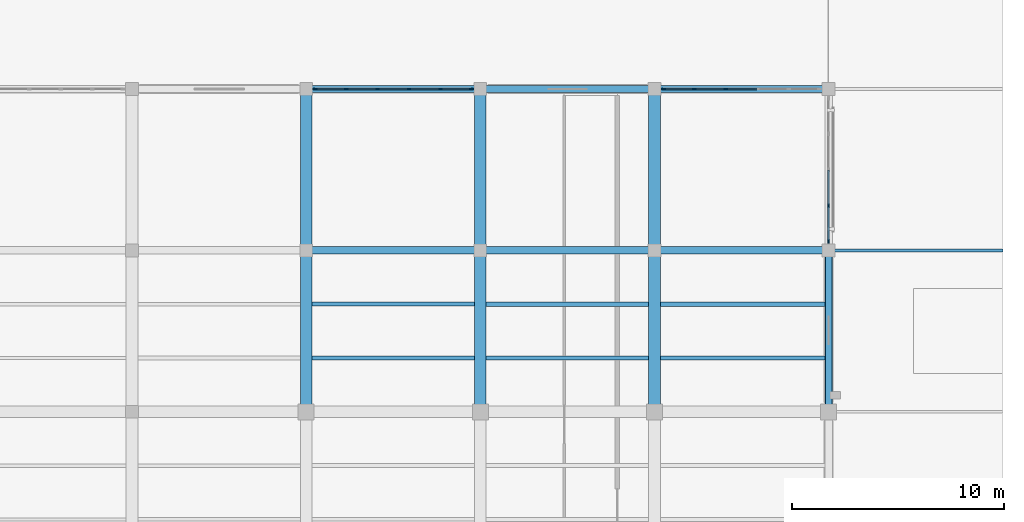
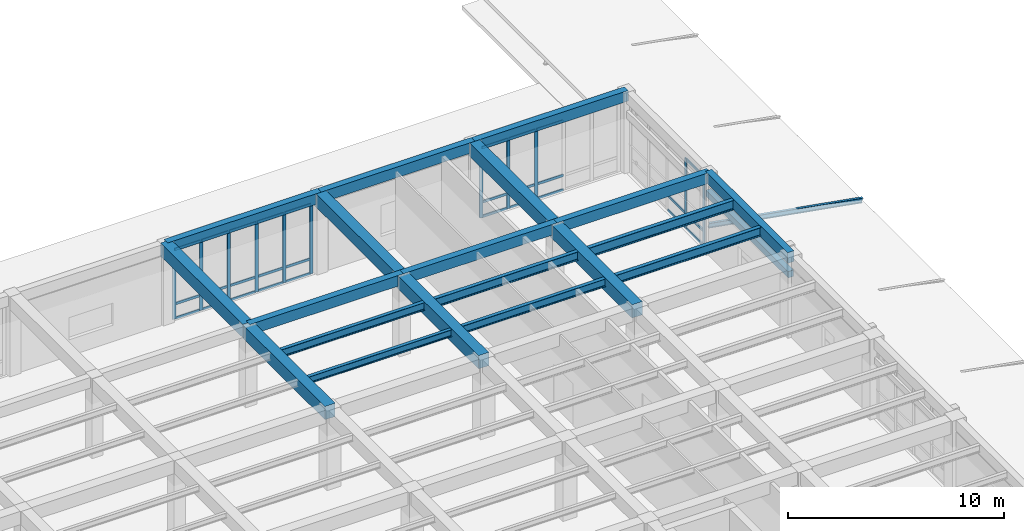
# One storey, part 26 of 57: 41 members, 20 beams, 3 elements without a shape of their own.
"""IFC4 building model written with IfcOpenShell, lengths in metres."""

from ifc_helpers import new_model, si_unit, direction, frame, origin, origin_2d, place, context, subcontext, project, spatial, rectangle, i_section, extrude, material, material_profile, profile_set, type_object, element, aggregate, save


model = new_model("IFC4")

# Units and contexts
model_context = context("Model", 3, precision=1e-05, world=origin(), true_north=direction((0.0, 1.0)))
body_context = subcontext(model_context, "Body", "Model", "MODEL_VIEW")
ifc_project = project(units=[si_unit("LENGTHUNIT", "METRE"), si_unit("AREAUNIT", "SQUARE_METRE"), si_unit("VOLUMEUNIT", "CUBIC_METRE"), si_unit("PLANEANGLEUNIT", "RADIAN"), si_unit("MASSUNIT", "GRAM", prefix="KILO")], contexts=[model_context])

# Site, building, storey
site_placement = place(None, origin())
site = spatial("IfcSite", under=ifc_project, at=site_placement, CompositionType="ELEMENT")
building_placement = place(site_placement, origin())
building = spatial("IfcBuilding", under=site, at=building_placement, Name="Qandaris Square Conservatory and Botanical Centre", CompositionType="ELEMENT")
storey_placement = place(building_placement, frame((0.0, 0.0, 5.39990234375)))
storey = spatial("IfcBuildingStorey", under=building, at=storey_placement, Name="L01", CompositionType="ELEMENT", Elevation=5.39990234375)

# Beams
ifc_material_1 = material(Name="Steel S355", Category="steel")
ifc_material_profile_1 = material_profile(ifc_material_1, i_section(OverallWidth=0.18994140625, OverallDepth=0.449951171875, WebThickness=0.009521484375, FlangeThickness=0.0146484375, FilletRadius=0.02099609375, at=origin_2d()), Name="IPE 450")
ifc_profile_set_1 = profile_set([ifc_material_profile_1], Name="Steel S355")
beam_type_1 = type_object("IfcBeamType", Name="Composite Archive Joist IPE 450", PredefinedType="JOIST", material=ifc_profile_set_1)
for number, where, z_axis, x_axis, name in (
    (1, (139.47509765625, 97.666748046875, 4.28515625), (1.0, 0.0, 0.0), (0.0, 1.0, 0.0), "L01 Composite Joist 1249"),
    (2, (147.675048828125, 95.13330078125, 4.28515625), (1.0, 0.0, 0.0), (0.0, 1.0, 0.0), "L01 Composite Joist 1265"),
):
    element("IfcBeam", number, at=place(storey_placement, frame(where, z_axis=z_axis, x_axis=x_axis)), inside=storey, type_object=beam_type_1, Name=name, PredefinedType="JOIST", context=body_context, shape_type="SweptSolid", body=[
        extrude(i_section(OverallWidth=0.18994140625, OverallDepth=0.449951171875, WebThickness=0.009521484375, FlangeThickness=0.0146484375, FilletRadius=0.02099609375, at=origin_2d()), origin(), (0.0, 0.0, 1.0), 7.64990234375),
    ])
ifc_material_profile_2 = material_profile(ifc_material_1, i_section(OverallWidth=0.199951171875, OverallDepth=0.5, WebThickness=0.01025390625, FlangeThickness=0.01611328125, FilletRadius=0.02099609375, at=origin_2d()), Name="IPE 500")
ifc_profile_set_2 = profile_set([ifc_material_profile_2], Name="Steel S355")
beam_type_2 = type_object("IfcBeamType", Name="Composite Gallery Joist IPE 500", PredefinedType="JOIST", material=ifc_profile_set_2)
beam_1_placement = place(storey_placement, frame((147.675048828125, 97.666748046875, 4.260009765625), z_axis=(1.0, 0.0, 0.0), x_axis=(0.0, 1.0, 0.0)))
element("IfcBeam", 3, at=beam_1_placement, inside=storey, type_object=beam_type_2, Name="L01 Composite Joist 1266", PredefinedType="JOIST", context=body_context, shape_type="SweptSolid", body=[
    extrude(i_section(OverallWidth=0.199951171875, OverallDepth=0.5, WebThickness=0.01025390625, FlangeThickness=0.01611328125, FilletRadius=0.02099609375, at=origin_2d()), origin(), (0.0, 0.0, 1.0), 7.64990234375),
])
beam_2_placement = place(storey_placement, frame((155.875, 95.13330078125, 4.260009765625), z_axis=(1.0, 0.0, 0.0), x_axis=(0.0, 1.0, 0.0)))
element("IfcBeam", 4, at=beam_2_placement, inside=storey, type_object=beam_type_2, Name="L01 Composite Joist 1287", PredefinedType="JOIST", context=body_context, shape_type="SweptSolid", body=[
    extrude(i_section(OverallWidth=0.199951171875, OverallDepth=0.5, WebThickness=0.01025390625, FlangeThickness=0.01611328125, FilletRadius=0.02099609375, at=origin_2d()), origin(), (0.0, 0.0, 1.0), 7.75),
])
ifc_material_profile_3 = material_profile(ifc_material_1, i_section(OverallWidth=0.179931640625, OverallDepth=0.39990234375, WebThickness=0.008544921875, FlangeThickness=0.013427734375, FilletRadius=0.02099609375, at=origin_2d()), Name="IPE 400")
ifc_profile_set_3 = profile_set([ifc_material_profile_3], Name="Steel S355")
beam_type_3 = type_object("IfcBeamType", Name="Composite Plinth Joist IPE 400", PredefinedType="JOIST", material=ifc_profile_set_3)
beam_3_placement = place(storey_placement, frame((139.47509765625, 95.13330078125, 4.31005859375), z_axis=(1.0, 0.0, 0.0), x_axis=(0.0, 1.0, 0.0)))
element("IfcBeam", 5, at=beam_3_placement, inside=storey, type_object=beam_type_3, Name="L01 Composite Joist 1248", PredefinedType="JOIST", context=body_context, shape_type="SweptSolid", body=[
    extrude(i_section(OverallWidth=0.179931640625, OverallDepth=0.39990234375, WebThickness=0.008544921875, FlangeThickness=0.013427734375, FilletRadius=0.02099609375, at=origin_2d()), origin(), (0.0, 0.0, 1.0), 7.64990234375),
])

# Curtain wall, members
ifc_material_2 = material(Name="Anodised Aluminium", Category="aluminium")
curtain_wall_type_1 = type_object("IfcCurtainWallType", Name="Unitised Curtain Wall CW-4-680x394", PredefinedType="USERDEFINED", material=ifc_material_2)
curtain_wall_1_placement = place(storey_placement, origin())
curtain_wall_1 = element("IfcCurtainWall", 6, at=curtain_wall_1_placement, inside=storey, type_object=curtain_wall_type_1, Name="Curtain Wall CW-TWR-L01-2-12", ObjectType="GLAZED CURTAIN WALL", PredefinedType="USERDEFINED")
ifc_material_profile_4 = material_profile(ifc_material_2, rectangle(XDim=0.06494140625, YDim=0.179931640625, at=origin_2d()), Name="ALU-MUL 65x180")
ifc_profile_set_4 = profile_set([ifc_material_profile_4], Name="Anodised Aluminium")
member_type_1 = type_object("IfcMemberType", Name="Curtain Wall Mullion 65x180", PredefinedType="MULLION", material=ifc_profile_set_4)
member_1_placement = place(storey_placement, frame((163.800048828125, 100.632568359375, 0.0), z_axis=(0.0, 0.0, 1.0), x_axis=(-1.0, 0.0, 0.0)))
member_1 = element("IfcMember", 7, at=member_1_placement, type_object=member_type_1, Name="CW-4-680x394 mullion 1", PredefinedType="MULLION", context=body_context, shape_type="SweptSolid", body=[
    extrude(rectangle(XDim=0.06494140625, YDim=0.179931640625, at=origin_2d()), origin(), (0.0, 0.0, 1.0), 3.945068359375),
])
member_2_placement = place(storey_placement, frame((163.800048828125, 102.300048828125, 0.0), z_axis=(0.0, 0.0, 1.0), x_axis=(-1.0, 0.0, 0.0)))
member_2 = element("IfcMember", 8, at=member_2_placement, type_object=member_type_1, Name="CW-4-680x394 mullion 2", PredefinedType="MULLION", context=body_context, shape_type="SweptSolid", body=[
    extrude(rectangle(XDim=0.06494140625, YDim=0.179931640625, at=origin_2d()), origin(), (0.0, 0.0, 1.0), 3.945068359375),
])

curtain_wall_type_2 = type_object("IfcCurtainWallType", Name="Unitised Curtain Wall CW-3-740x394", PredefinedType="USERDEFINED", material=ifc_material_2)
curtain_wall_2_placement = place(storey_placement, origin())
curtain_wall_2 = element("IfcCurtainWall", 9, at=curtain_wall_2_placement, inside=storey, type_object=curtain_wall_type_2, Name="Curtain Wall CW-TWR-L01-3-1", ObjectType="GLAZED CURTAIN WALL", PredefinedType="USERDEFINED")
member_3_placement = place(storey_placement, frame((158.9599609375, 107.800048828125, 0.0), z_axis=(0.0, 0.0, 1.0), x_axis=(0.0, -1.0, 0.0)))
member_3 = element("IfcMember", 10, at=member_3_placement, type_object=member_type_1, Name="CW-3-740x394 mullion 4", PredefinedType="MULLION", context=body_context, shape_type="SweptSolid", body=[
    extrude(rectangle(XDim=0.06494140625, YDim=0.179931640625, at=origin_2d()), origin(), (0.0, 0.0, 1.0), 3.945068359375),
])
member_4_placement = place(storey_placement, frame((157.47998046875, 107.800048828125, 0.0), z_axis=(0.0, 0.0, 1.0), x_axis=(0.0, -1.0, 0.0)))
member_4 = element("IfcMember", 11, at=member_4_placement, type_object=member_type_1, Name="CW-3-740x394 mullion 5", PredefinedType="MULLION", context=body_context, shape_type="SweptSolid", body=[
    extrude(rectangle(XDim=0.06494140625, YDim=0.179931640625, at=origin_2d()), origin(), (0.0, 0.0, 1.0), 3.945068359375),
])
member_5_placement = place(storey_placement, frame((156.032470703125, 107.800048828125, 0.0), z_axis=(0.0, 0.0, 1.0), x_axis=(0.0, -1.0, 0.0)))
member_5 = element("IfcMember", 12, at=member_5_placement, type_object=member_type_1, Name="CW-3-740x394 mullion 6", PredefinedType="MULLION", context=body_context, shape_type="SweptSolid", body=[
    extrude(rectangle(XDim=0.06494140625, YDim=0.179931640625, at=origin_2d()), origin(), (0.0, 0.0, 1.0), 3.945068359375),
])

curtain_wall_3_placement = place(storey_placement, origin())
curtain_wall_3 = element("IfcCurtainWall", 13, at=curtain_wall_3_placement, inside=storey, type_object=curtain_wall_type_2, Name="Curtain Wall CW-TWR-L01-3-3", ObjectType="GLAZED CURTAIN WALL", PredefinedType="USERDEFINED")
member_6_placement = place(storey_placement, frame((146.967529296875, 107.800048828125, 0.0), z_axis=(0.0, 0.0, 1.0), x_axis=(0.0, -1.0, 0.0)))
member_6 = element("IfcMember", 14, at=member_6_placement, type_object=member_type_1, Name="CW-3-740x394 mullion 1", PredefinedType="MULLION", context=body_context, shape_type="SweptSolid", body=[
    extrude(rectangle(XDim=0.06494140625, YDim=0.179931640625, at=origin_2d()), origin(), (0.0, 0.0, 1.0), 3.945068359375),
])
member_7_placement = place(storey_placement, frame((145.52001953125, 107.800048828125, 0.0), z_axis=(0.0, 0.0, 1.0), x_axis=(0.0, -1.0, 0.0)))
member_7 = element("IfcMember", 15, at=member_7_placement, type_object=member_type_1, Name="CW-3-740x394 mullion 2", PredefinedType="MULLION", context=body_context, shape_type="SweptSolid", body=[
    extrude(rectangle(XDim=0.06494140625, YDim=0.179931640625, at=origin_2d()), origin(), (0.0, 0.0, 1.0), 3.945068359375),
])
member_8_placement = place(storey_placement, frame((144.0400390625, 107.800048828125, 0.0), z_axis=(0.0, 0.0, 1.0), x_axis=(0.0, -1.0, 0.0)))
member_8 = element("IfcMember", 16, at=member_8_placement, type_object=member_type_1, Name="CW-3-740x394 mullion 3", PredefinedType="MULLION", context=body_context, shape_type="SweptSolid", body=[
    extrude(rectangle(XDim=0.06494140625, YDim=0.179931640625, at=origin_2d()), origin(), (0.0, 0.0, 1.0), 3.945068359375),
])
member_9_placement = place(storey_placement, frame((142.56005859375, 107.800048828125, 0.0), z_axis=(0.0, 0.0, 1.0), x_axis=(0.0, -1.0, 0.0)))
member_9 = element("IfcMember", 17, at=member_9_placement, type_object=member_type_1, Name="CW-3-740x394 mullion 4", PredefinedType="MULLION", context=body_context, shape_type="SweptSolid", body=[
    extrude(rectangle(XDim=0.06494140625, YDim=0.179931640625, at=origin_2d()), origin(), (0.0, 0.0, 1.0), 3.945068359375),
])
member_10_placement = place(storey_placement, frame((141.080078125, 107.800048828125, 0.0), z_axis=(0.0, 0.0, 1.0), x_axis=(0.0, -1.0, 0.0)))
member_10 = element("IfcMember", 18, at=member_10_placement, type_object=member_type_1, Name="CW-3-740x394 mullion 5", PredefinedType="MULLION", context=body_context, shape_type="SweptSolid", body=[
    extrude(rectangle(XDim=0.06494140625, YDim=0.179931640625, at=origin_2d()), origin(), (0.0, 0.0, 1.0), 3.945068359375),
])
member_11_placement = place(storey_placement, frame((139.632568359375, 107.800048828125, 0.0), z_axis=(0.0, 0.0, 1.0), x_axis=(0.0, -1.0, 0.0)))
member_11 = element("IfcMember", 19, at=member_11_placement, type_object=member_type_1, Name="CW-3-740x394 mullion 6", PredefinedType="MULLION", context=body_context, shape_type="SweptSolid", body=[
    extrude(rectangle(XDim=0.06494140625, YDim=0.179931640625, at=origin_2d()), origin(), (0.0, 0.0, 1.0), 3.945068359375),
])

# Member
ifc_material_profile_5 = material_profile(ifc_material_2, rectangle(XDim=0.06494140625, YDim=0.139892578125, at=origin_2d()), Name="ALU-TRN 65x140")
ifc_profile_set_5 = profile_set([ifc_material_profile_5], Name="Anodised Aluminium")
member_type_2 = type_object("IfcMemberType", Name="Curtain Wall Transom 65x140", PredefinedType="USERDEFINED", material=ifc_profile_set_5)
member_12_placement = place(storey_placement, frame((163.800048828125, 100.6650390625, 0.03271484375), z_axis=(0.0, 1.0, 0.0), x_axis=(-1.0, 0.0, 0.0)))
member_12 = element("IfcMember", 20, at=member_12_placement, type_object=member_type_2, Name="CW-4-680x394 transom 1.1", ObjectType="TRANSOM", PredefinedType="USERDEFINED", context=body_context, shape_type="SweptSolid", body=[
    extrude(rectangle(XDim=0.06494140625, YDim=0.139892578125, at=origin_2d()), origin(), (0.0, 0.0, 1.0), 1.6025390625),
])

member_13_placement = place(storey_placement, frame((163.800048828125, 100.6650390625, 0.85009765625), z_axis=(0.0, 1.0, 0.0), x_axis=(-1.0, 0.0, 0.0)))
member_13 = element("IfcMember", 21, at=member_13_placement, type_object=member_type_2, Name="CW-4-680x394 transom 1.2", ObjectType="TRANSOM", PredefinedType="USERDEFINED", context=body_context, shape_type="SweptSolid", body=[
    extrude(rectangle(XDim=0.06494140625, YDim=0.139892578125, at=origin_2d()), origin(), (0.0, 0.0, 1.0), 1.6025390625),
])

member_14_placement = place(storey_placement, frame((163.800048828125, 100.6650390625, 3.91259765625), z_axis=(0.0, 1.0, 0.0), x_axis=(-1.0, 0.0, 0.0)))
member_14 = element("IfcMember", 22, at=member_14_placement, type_object=member_type_2, Name="CW-4-680x394 transom 1.3", ObjectType="TRANSOM", PredefinedType="USERDEFINED", context=body_context, shape_type="SweptSolid", body=[
    extrude(rectangle(XDim=0.06494140625, YDim=0.139892578125, at=origin_2d()), origin(), (0.0, 0.0, 1.0), 1.6025390625),
])

member_15_placement = place(storey_placement, frame((163.800048828125, 102.33251953125, 0.03271484375), z_axis=(0.0, 1.0, 0.0), x_axis=(-1.0, 0.0, 0.0)))
member_15 = element("IfcMember", 23, at=member_15_placement, type_object=member_type_2, Name="CW-4-680x394 transom 2.1", ObjectType="TRANSOM", PredefinedType="USERDEFINED", context=body_context, shape_type="SweptSolid", body=[
    extrude(rectangle(XDim=0.06494140625, YDim=0.139892578125, at=origin_2d()), origin(), (0.0, 0.0, 1.0), 1.635009765625),
])

member_16_placement = place(storey_placement, frame((163.800048828125, 102.33251953125, 0.85009765625), z_axis=(0.0, 1.0, 0.0), x_axis=(-1.0, 0.0, 0.0)))
member_16 = element("IfcMember", 24, at=member_16_placement, type_object=member_type_2, Name="CW-4-680x394 transom 2.2", ObjectType="TRANSOM", PredefinedType="USERDEFINED", context=body_context, shape_type="SweptSolid", body=[
    extrude(rectangle(XDim=0.06494140625, YDim=0.139892578125, at=origin_2d()), origin(), (0.0, 0.0, 1.0), 1.635009765625),
])

aggregate(curtain_wall_1, [member_1, member_2, member_12, member_13, member_14, member_15, member_16])

member_17_placement = place(storey_placement, frame((160.407470703125, 107.800048828125, 0.03271484375), z_axis=(-1.0, 0.0, 0.0), x_axis=(0.0, -1.0, 0.0)))
member_17 = element("IfcMember", 25, at=member_17_placement, type_object=member_type_2, Name="CW-3-740x394 transom 3.1", ObjectType="TRANSOM", PredefinedType="USERDEFINED", context=body_context, shape_type="SweptSolid", body=[
    extrude(rectangle(XDim=0.06494140625, YDim=0.139892578125, at=origin_2d()), origin(), (0.0, 0.0, 1.0), 1.4150390625),
])

member_18_placement = place(storey_placement, frame((160.407470703125, 107.800048828125, 0.85009765625), z_axis=(-1.0, 0.0, 0.0), x_axis=(0.0, -1.0, 0.0)))
member_18 = element("IfcMember", 26, at=member_18_placement, type_object=member_type_2, Name="CW-3-740x394 transom 3.2", ObjectType="TRANSOM", PredefinedType="USERDEFINED", context=body_context, shape_type="SweptSolid", body=[
    extrude(rectangle(XDim=0.06494140625, YDim=0.139892578125, at=origin_2d()), origin(), (0.0, 0.0, 1.0), 1.4150390625),
])

member_19_placement = place(storey_placement, frame((160.407470703125, 107.800048828125, 3.91259765625), z_axis=(-1.0, 0.0, 0.0), x_axis=(0.0, -1.0, 0.0)))
member_19 = element("IfcMember", 27, at=member_19_placement, type_object=member_type_2, Name="CW-3-740x394 transom 3.3", ObjectType="TRANSOM", PredefinedType="USERDEFINED", context=body_context, shape_type="SweptSolid", body=[
    extrude(rectangle(XDim=0.06494140625, YDim=0.139892578125, at=origin_2d()), origin(), (0.0, 0.0, 1.0), 1.4150390625),
])

member_20_placement = place(storey_placement, frame((158.927490234375, 107.800048828125, 0.03271484375), z_axis=(-1.0, 0.0, 0.0), x_axis=(0.0, -1.0, 0.0)))
member_20 = element("IfcMember", 28, at=member_20_placement, type_object=member_type_2, Name="CW-3-740x394 transom 4.1", ObjectType="TRANSOM", PredefinedType="USERDEFINED", context=body_context, shape_type="SweptSolid", body=[
    extrude(rectangle(XDim=0.06494140625, YDim=0.139892578125, at=origin_2d()), origin(), (0.0, 0.0, 1.0), 1.4150390625),
])

member_21_placement = place(storey_placement, frame((158.927490234375, 107.800048828125, 0.85009765625), z_axis=(-1.0, 0.0, 0.0), x_axis=(0.0, -1.0, 0.0)))
member_21 = element("IfcMember", 29, at=member_21_placement, type_object=member_type_2, Name="CW-3-740x394 transom 4.2", ObjectType="TRANSOM", PredefinedType="USERDEFINED", context=body_context, shape_type="SweptSolid", body=[
    extrude(rectangle(XDim=0.06494140625, YDim=0.139892578125, at=origin_2d()), origin(), (0.0, 0.0, 1.0), 1.4150390625),
])

member_22_placement = place(storey_placement, frame((158.927490234375, 107.800048828125, 3.91259765625), z_axis=(-1.0, 0.0, 0.0), x_axis=(0.0, -1.0, 0.0)))
member_22 = element("IfcMember", 30, at=member_22_placement, type_object=member_type_2, Name="CW-3-740x394 transom 4.3", ObjectType="TRANSOM", PredefinedType="USERDEFINED", context=body_context, shape_type="SweptSolid", body=[
    extrude(rectangle(XDim=0.06494140625, YDim=0.139892578125, at=origin_2d()), origin(), (0.0, 0.0, 1.0), 1.4150390625),
])

member_23_placement = place(storey_placement, frame((157.447509765625, 107.800048828125, 0.03271484375), z_axis=(-1.0, 0.0, 0.0), x_axis=(0.0, -1.0, 0.0)))
member_23 = element("IfcMember", 31, at=member_23_placement, type_object=member_type_2, Name="CW-3-740x394 transom 5.1", ObjectType="TRANSOM", PredefinedType="USERDEFINED", context=body_context, shape_type="SweptSolid", body=[
    extrude(rectangle(XDim=0.06494140625, YDim=0.139892578125, at=origin_2d()), origin(), (0.0, 0.0, 1.0), 1.382568359375),
])

member_24_placement = place(storey_placement, frame((157.447509765625, 107.800048828125, 0.85009765625), z_axis=(-1.0, 0.0, 0.0), x_axis=(0.0, -1.0, 0.0)))
member_24 = element("IfcMember", 32, at=member_24_placement, type_object=member_type_2, Name="CW-3-740x394 transom 5.2", ObjectType="TRANSOM", PredefinedType="USERDEFINED", context=body_context, shape_type="SweptSolid", body=[
    extrude(rectangle(XDim=0.06494140625, YDim=0.139892578125, at=origin_2d()), origin(), (0.0, 0.0, 1.0), 1.382568359375),
])

member_25_placement = place(storey_placement, frame((157.447509765625, 107.800048828125, 3.91259765625), z_axis=(-1.0, 0.0, 0.0), x_axis=(0.0, -1.0, 0.0)))
member_25 = element("IfcMember", 33, at=member_25_placement, type_object=member_type_2, Name="CW-3-740x394 transom 5.3", ObjectType="TRANSOM", PredefinedType="USERDEFINED", context=body_context, shape_type="SweptSolid", body=[
    extrude(rectangle(XDim=0.06494140625, YDim=0.139892578125, at=origin_2d()), origin(), (0.0, 0.0, 1.0), 1.382568359375),
])

aggregate(curtain_wall_2, [member_3, member_4, member_5, member_17, member_18, member_19, member_20, member_21, member_22, member_23, member_24, member_25])

member_26_placement = place(storey_placement, frame((146.93505859375, 107.800048828125, 0.03271484375), z_axis=(-1.0, 0.0, 0.0), x_axis=(0.0, -1.0, 0.0)))
member_26 = element("IfcMember", 34, at=member_26_placement, type_object=member_type_2, Name="CW-3-740x394 transom 1.1", ObjectType="TRANSOM", PredefinedType="USERDEFINED", context=body_context, shape_type="SweptSolid", body=[
    extrude(rectangle(XDim=0.06494140625, YDim=0.139892578125, at=origin_2d()), origin(), (0.0, 0.0, 1.0), 1.382568359375),
])

member_27_placement = place(storey_placement, frame((146.93505859375, 107.800048828125, 0.85009765625), z_axis=(-1.0, 0.0, 0.0), x_axis=(0.0, -1.0, 0.0)))
member_27 = element("IfcMember", 35, at=member_27_placement, type_object=member_type_2, Name="CW-3-740x394 transom 1.2", ObjectType="TRANSOM", PredefinedType="USERDEFINED", context=body_context, shape_type="SweptSolid", body=[
    extrude(rectangle(XDim=0.06494140625, YDim=0.139892578125, at=origin_2d()), origin(), (0.0, 0.0, 1.0), 1.382568359375),
])

member_28_placement = place(storey_placement, frame((146.93505859375, 107.800048828125, 3.91259765625), z_axis=(-1.0, 0.0, 0.0), x_axis=(0.0, -1.0, 0.0)))
member_28 = element("IfcMember", 36, at=member_28_placement, type_object=member_type_2, Name="CW-3-740x394 transom 1.3", ObjectType="TRANSOM", PredefinedType="USERDEFINED", context=body_context, shape_type="SweptSolid", body=[
    extrude(rectangle(XDim=0.06494140625, YDim=0.139892578125, at=origin_2d()), origin(), (0.0, 0.0, 1.0), 1.382568359375),
])

member_29_placement = place(storey_placement, frame((145.487548828125, 107.800048828125, 0.03271484375), z_axis=(-1.0, 0.0, 0.0), x_axis=(0.0, -1.0, 0.0)))
member_29 = element("IfcMember", 37, at=member_29_placement, type_object=member_type_2, Name="CW-3-740x394 transom 2.1", ObjectType="TRANSOM", PredefinedType="USERDEFINED", context=body_context, shape_type="SweptSolid", body=[
    extrude(rectangle(XDim=0.06494140625, YDim=0.139892578125, at=origin_2d()), origin(), (0.0, 0.0, 1.0), 1.4150390625),
])

member_30_placement = place(storey_placement, frame((145.487548828125, 107.800048828125, 0.85009765625), z_axis=(-1.0, 0.0, 0.0), x_axis=(0.0, -1.0, 0.0)))
member_30 = element("IfcMember", 38, at=member_30_placement, type_object=member_type_2, Name="CW-3-740x394 transom 2.2", ObjectType="TRANSOM", PredefinedType="USERDEFINED", context=body_context, shape_type="SweptSolid", body=[
    extrude(rectangle(XDim=0.06494140625, YDim=0.139892578125, at=origin_2d()), origin(), (0.0, 0.0, 1.0), 1.4150390625),
])

member_31_placement = place(storey_placement, frame((145.487548828125, 107.800048828125, 3.91259765625), z_axis=(-1.0, 0.0, 0.0), x_axis=(0.0, -1.0, 0.0)))
member_31 = element("IfcMember", 39, at=member_31_placement, type_object=member_type_2, Name="CW-3-740x394 transom 2.3", ObjectType="TRANSOM", PredefinedType="USERDEFINED", context=body_context, shape_type="SweptSolid", body=[
    extrude(rectangle(XDim=0.06494140625, YDim=0.139892578125, at=origin_2d()), origin(), (0.0, 0.0, 1.0), 1.4150390625),
])

member_32_placement = place(storey_placement, frame((144.007568359375, 107.800048828125, 0.03271484375), z_axis=(-1.0, 0.0, 0.0), x_axis=(0.0, -1.0, 0.0)))
member_32 = element("IfcMember", 40, at=member_32_placement, type_object=member_type_2, Name="CW-3-740x394 transom 3.1", ObjectType="TRANSOM", PredefinedType="USERDEFINED", context=body_context, shape_type="SweptSolid", body=[
    extrude(rectangle(XDim=0.06494140625, YDim=0.139892578125, at=origin_2d()), origin(), (0.0, 0.0, 1.0), 1.4150390625),
])

member_33_placement = place(storey_placement, frame((144.007568359375, 107.800048828125, 0.85009765625), z_axis=(-1.0, 0.0, 0.0), x_axis=(0.0, -1.0, 0.0)))
member_33 = element("IfcMember", 41, at=member_33_placement, type_object=member_type_2, Name="CW-3-740x394 transom 3.2", ObjectType="TRANSOM", PredefinedType="USERDEFINED", context=body_context, shape_type="SweptSolid", body=[
    extrude(rectangle(XDim=0.06494140625, YDim=0.139892578125, at=origin_2d()), origin(), (0.0, 0.0, 1.0), 1.4150390625),
])

member_34_placement = place(storey_placement, frame((144.007568359375, 107.800048828125, 3.91259765625), z_axis=(-1.0, 0.0, 0.0), x_axis=(0.0, -1.0, 0.0)))
member_34 = element("IfcMember", 42, at=member_34_placement, type_object=member_type_2, Name="CW-3-740x394 transom 3.3", ObjectType="TRANSOM", PredefinedType="USERDEFINED", context=body_context, shape_type="SweptSolid", body=[
    extrude(rectangle(XDim=0.06494140625, YDim=0.139892578125, at=origin_2d()), origin(), (0.0, 0.0, 1.0), 1.4150390625),
])

member_35_placement = place(storey_placement, frame((142.527587890625, 107.800048828125, 0.03271484375), z_axis=(-1.0, 0.0, 0.0), x_axis=(0.0, -1.0, 0.0)))
member_35 = element("IfcMember", 43, at=member_35_placement, type_object=member_type_2, Name="CW-3-740x394 transom 4.1", ObjectType="TRANSOM", PredefinedType="USERDEFINED", context=body_context, shape_type="SweptSolid", body=[
    extrude(rectangle(XDim=0.06494140625, YDim=0.139892578125, at=origin_2d()), origin(), (0.0, 0.0, 1.0), 1.4150390625),
])

member_36_placement = place(storey_placement, frame((142.527587890625, 107.800048828125, 0.85009765625), z_axis=(-1.0, 0.0, 0.0), x_axis=(0.0, -1.0, 0.0)))
member_36 = element("IfcMember", 44, at=member_36_placement, type_object=member_type_2, Name="CW-3-740x394 transom 4.2", ObjectType="TRANSOM", PredefinedType="USERDEFINED", context=body_context, shape_type="SweptSolid", body=[
    extrude(rectangle(XDim=0.06494140625, YDim=0.139892578125, at=origin_2d()), origin(), (0.0, 0.0, 1.0), 1.4150390625),
])

member_37_placement = place(storey_placement, frame((142.527587890625, 107.800048828125, 3.91259765625), z_axis=(-1.0, 0.0, 0.0), x_axis=(0.0, -1.0, 0.0)))
member_37 = element("IfcMember", 45, at=member_37_placement, type_object=member_type_2, Name="CW-3-740x394 transom 4.3", ObjectType="TRANSOM", PredefinedType="USERDEFINED", context=body_context, shape_type="SweptSolid", body=[
    extrude(rectangle(XDim=0.06494140625, YDim=0.139892578125, at=origin_2d()), origin(), (0.0, 0.0, 1.0), 1.4150390625),
])

member_38_placement = place(storey_placement, frame((141.047607421875, 107.800048828125, 0.03271484375), z_axis=(-1.0, 0.0, 0.0), x_axis=(0.0, -1.0, 0.0)))
member_38 = element("IfcMember", 46, at=member_38_placement, type_object=member_type_2, Name="CW-3-740x394 transom 5.1", ObjectType="TRANSOM", PredefinedType="USERDEFINED", context=body_context, shape_type="SweptSolid", body=[
    extrude(rectangle(XDim=0.06494140625, YDim=0.139892578125, at=origin_2d()), origin(), (0.0, 0.0, 1.0), 1.382568359375),
])

member_39_placement = place(storey_placement, frame((141.047607421875, 107.800048828125, 0.85009765625), z_axis=(-1.0, 0.0, 0.0), x_axis=(0.0, -1.0, 0.0)))
member_39 = element("IfcMember", 47, at=member_39_placement, type_object=member_type_2, Name="CW-3-740x394 transom 5.2", ObjectType="TRANSOM", PredefinedType="USERDEFINED", context=body_context, shape_type="SweptSolid", body=[
    extrude(rectangle(XDim=0.06494140625, YDim=0.139892578125, at=origin_2d()), origin(), (0.0, 0.0, 1.0), 1.382568359375),
])

member_40_placement = place(storey_placement, frame((141.047607421875, 107.800048828125, 3.91259765625), z_axis=(-1.0, 0.0, 0.0), x_axis=(0.0, -1.0, 0.0)))
member_40 = element("IfcMember", 48, at=member_40_placement, type_object=member_type_2, Name="CW-3-740x394 transom 5.3", ObjectType="TRANSOM", PredefinedType="USERDEFINED", context=body_context, shape_type="SweptSolid", body=[
    extrude(rectangle(XDim=0.06494140625, YDim=0.139892578125, at=origin_2d()), origin(), (0.0, 0.0, 1.0), 1.382568359375),
])

aggregate(curtain_wall_3, [member_6, member_7, member_8, member_9, member_10, member_11, member_26, member_27, member_28, member_29, member_30, member_31, member_32, member_33, member_34, member_35, member_36, member_37, member_38, member_39, member_40])

# Beams
ifc_material_profile_6 = material_profile(ifc_material_1, i_section(OverallWidth=0.2099609375, OverallDepth=0.550048828125, WebThickness=0.010986328125, FlangeThickness=0.01708984375, FilletRadius=0.02392578125, at=origin_2d()), Name="IPE 550")
ifc_profile_set_6 = profile_set([ifc_material_profile_6], Name="Steel S355")
beam_type_4 = type_object("IfcBeamType", Name="Long-Span Foyer Joist IPE 550", PredefinedType="JOIST", material=ifc_profile_set_6)
beam_4_placement = place(storey_placement, frame((155.875, 97.666748046875, 4.235107421875), z_axis=(1.0, 0.0, 0.0), x_axis=(0.0, 1.0, 0.0)))
element("IfcBeam", 49, at=beam_4_placement, inside=storey, type_object=beam_type_4, Name="L01 Composite Joist 1288", PredefinedType="JOIST", context=body_context, shape_type="SweptSolid", body=[
    extrude(i_section(OverallWidth=0.2099609375, OverallDepth=0.550048828125, WebThickness=0.010986328125, FlangeThickness=0.01708984375, FilletRadius=0.02392578125, at=origin_2d()), origin(), (0.0, 0.0, 1.0), 7.75),
])
ifc_material_3 = material(Name="Precast concrete C40/50", Category="concrete")
ifc_material_profile_7 = material_profile(ifc_material_3, rectangle(XDim=0.300048828125, YDim=0.35009765625, at=origin_2d()), Name="RC-LN 300x350")
ifc_profile_set_7 = profile_set([ifc_material_profile_7], Name="Precast concrete C40/50")
beam_type_5 = type_object("IfcBeamType", Name="Precast Opening Lintel 300x350", PredefinedType="LINTEL", material=ifc_profile_set_7)
beam_5_placement = place(storey_placement, frame((163.800048828125, 92.60009765625, 3.295166015625), z_axis=(0.0, 1.0, 0.0), x_axis=(-1.0, 0.0, 0.0)))
element("IfcBeam", 50, at=beam_5_placement, inside=storey, type_object=beam_type_5, Name="Precast Lintel 024", PredefinedType="LINTEL", context=body_context, shape_type="SweptSolid", body=[
    extrude(rectangle(XDim=0.300048828125, YDim=0.35009765625, at=origin_2d()), origin(), (0.0, 0.0, 1.0), 7.599853515625),
])
ifc_material_4 = material(Name="Concrete C50/60", Category="concrete")
ifc_material_profile_8 = material_profile(ifc_material_4, rectangle(XDim=0.35009765625, YDim=0.60009765625, at=origin_2d()), Name="RC-SP 350x600")
ifc_profile_set_8 = profile_set([ifc_material_profile_8], Name="Concrete C50/60")
beam_type_6 = type_object("IfcBeamType", Name="RC Edge Spandrel Beam 350x600", PredefinedType="SPANDREL", material=ifc_profile_set_8)
beam_6_placement = place(storey_placement, frame((139.199951171875, 100.199951171875, 4.2451171875), z_axis=(1.0, 0.0, 0.0), x_axis=(0.0, 1.0, 0.0)))
element("IfcBeam", 51, at=beam_6_placement, inside=storey, type_object=beam_type_6, Name="L01 Frame Beam 1005", PredefinedType="SPANDREL", context=body_context, shape_type="SweptSolid", body=[
    extrude(rectangle(XDim=0.35009765625, YDim=0.60009765625, at=origin_2d()), origin(), (0.0, 0.0, 1.0), 8.199951171875),
])
beam_7_placement = place(storey_placement, frame((147.39990234375, 100.199951171875, 4.2451171875), z_axis=(1.0, 0.0, 0.0), x_axis=(0.0, 1.0, 0.0)))
element("IfcBeam", 52, at=beam_7_placement, inside=storey, type_object=beam_type_6, Name="L01 Frame Beam 1006", PredefinedType="SPANDREL", context=body_context, shape_type="SweptSolid", body=[
    extrude(rectangle(XDim=0.35009765625, YDim=0.60009765625, at=origin_2d()), origin(), (0.0, 0.0, 1.0), 8.2001953125),
])
for number, where, z_axis, x_axis, name in (
    (53, (155.60009765625, 100.199951171875, 4.2451171875), (1.0, 0.0, 0.0), (0.0, 1.0, 0.0), "L01 Frame Beam 1007"),
    (54, (139.199951171875, 107.800048828125, 4.2451171875), (1.0, 0.0, 0.0), (0.0, 1.0, 0.0), "L01 Frame Beam 1016"),
):
    element("IfcBeam", number, at=place(storey_placement, frame(where, z_axis=z_axis, x_axis=x_axis)), inside=storey, type_object=beam_type_6, Name=name, PredefinedType="SPANDREL", context=body_context, shape_type="SweptSolid", body=[
        extrude(rectangle(XDim=0.35009765625, YDim=0.60009765625, at=origin_2d()), origin(), (0.0, 0.0, 1.0), 8.199951171875),
    ])
beam_8_placement = place(storey_placement, frame((147.39990234375, 107.800048828125, 4.2451171875), z_axis=(1.0, 0.0, 0.0), x_axis=(0.0, 1.0, 0.0)))
element("IfcBeam", 55, at=beam_8_placement, inside=storey, type_object=beam_type_6, Name="L01 Frame Beam 1017", PredefinedType="SPANDREL", context=body_context, shape_type="SweptSolid", body=[
    extrude(rectangle(XDim=0.35009765625, YDim=0.60009765625, at=origin_2d()), origin(), (0.0, 0.0, 1.0), 8.2001953125),
])
beam_9_placement = place(storey_placement, frame((155.60009765625, 107.800048828125, 4.2451171875), z_axis=(1.0, 0.0, 0.0), x_axis=(0.0, 1.0, 0.0)))
element("IfcBeam", 56, at=beam_9_placement, inside=storey, type_object=beam_type_6, Name="L01 Frame Beam 1018", PredefinedType="SPANDREL", context=body_context, shape_type="SweptSolid", body=[
    extrude(rectangle(XDim=0.35009765625, YDim=0.60009765625, at=origin_2d()), origin(), (0.0, 0.0, 1.0), 8.199951171875),
])
beam_10_placement = place(storey_placement, frame((163.800048828125, 92.60009765625, 4.2451171875), z_axis=(0.0, 1.0, 0.0), x_axis=(-1.0, 0.0, 0.0)))
element("IfcBeam", 57, at=beam_10_placement, inside=storey, type_object=beam_type_6, Name="L01 Frame Beam 1153", PredefinedType="SPANDREL", context=body_context, shape_type="SweptSolid", body=[
    extrude(rectangle(XDim=0.35009765625, YDim=0.60009765625, at=origin_2d()), origin(), (0.0, 0.0, 1.0), 7.599853515625),
])
ifc_material_profile_9 = material_profile(ifc_material_4, rectangle(XDim=0.550048828125, YDim=0.75, at=origin_2d()), Name="RC-BM 550x750")
ifc_profile_set_9 = profile_set([ifc_material_profile_9], Name="Concrete C50/60")
beam_type_7 = type_object("IfcBeamType", Name="RC Plinth Girder 550x750", PredefinedType="BEAM", material=ifc_profile_set_9)
beam_11_placement = place(storey_placement, frame((139.199951171875, 92.60009765625, 4.14501953125), z_axis=(0.0, 1.0, 0.0), x_axis=(-1.0, 0.0, 0.0)))
element("IfcBeam", 58, at=beam_11_placement, inside=storey, type_object=beam_type_7, Name="L01 Frame Beam 1117", PredefinedType="BEAM", context=body_context, shape_type="SweptSolid", body=[
    extrude(rectangle(XDim=0.550048828125, YDim=0.75, at=origin_2d()), origin(), (0.0, 0.0, 1.0), 7.599853515625),
])
beam_12_placement = place(storey_placement, frame((139.199951171875, 100.199951171875, 4.170166015625), z_axis=(0.0, 1.0, 0.0), x_axis=(-1.0, 0.0, 0.0)))
element("IfcBeam", 59, at=beam_12_placement, inside=storey, type_object=beam_type_7, Name="L01 Frame Beam 1118", PredefinedType="BEAM", context=body_context, shape_type="SweptSolid", body=[
    extrude(rectangle(XDim=0.550048828125, YDim=0.75, at=origin_2d()), origin(), (0.0, 0.0, 1.0), 7.60009765625),
])
beam_13_placement = place(storey_placement, frame((147.39990234375, 92.60009765625, 4.14501953125), z_axis=(0.0, 1.0, 0.0), x_axis=(-1.0, 0.0, 0.0)))
element("IfcBeam", 60, at=beam_13_placement, inside=storey, type_object=beam_type_7, Name="L01 Frame Beam 1129", PredefinedType="BEAM", context=body_context, shape_type="SweptSolid", body=[
    extrude(rectangle(XDim=0.550048828125, YDim=0.75, at=origin_2d()), origin(), (0.0, 0.0, 1.0), 7.599853515625),
])
beam_14_placement = place(storey_placement, frame((147.39990234375, 100.199951171875, 4.170166015625), z_axis=(0.0, 1.0, 0.0), x_axis=(-1.0, 0.0, 0.0)))
element("IfcBeam", 61, at=beam_14_placement, inside=storey, type_object=beam_type_7, Name="L01 Frame Beam 1130", PredefinedType="BEAM", context=body_context, shape_type="SweptSolid", body=[
    extrude(rectangle(XDim=0.550048828125, YDim=0.75, at=origin_2d()), origin(), (0.0, 0.0, 1.0), 7.60009765625),
])
beam_15_placement = place(storey_placement, frame((155.60009765625, 92.60009765625, 4.14501953125), z_axis=(0.0, 1.0, 0.0), x_axis=(-1.0, 0.0, 0.0)))
element("IfcBeam", 62, at=beam_15_placement, inside=storey, type_object=beam_type_7, Name="L01 Frame Beam 1141", PredefinedType="BEAM", context=body_context, shape_type="SweptSolid", body=[
    extrude(rectangle(XDim=0.550048828125, YDim=0.75, at=origin_2d()), origin(), (0.0, 0.0, 1.0), 7.599853515625),
])
beam_16_placement = place(storey_placement, frame((155.60009765625, 100.199951171875, 4.170166015625), z_axis=(0.0, 1.0, 0.0), x_axis=(-1.0, 0.0, 0.0)))
element("IfcBeam", 63, at=beam_16_placement, inside=storey, type_object=beam_type_7, Name="L01 Frame Beam 1142", PredefinedType="BEAM", context=body_context, shape_type="SweptSolid", body=[
    extrude(rectangle(XDim=0.550048828125, YDim=0.75, at=origin_2d()), origin(), (0.0, 0.0, 1.0), 7.60009765625),
])

# Member
ifc_material_profile_10 = material_profile(ifc_material_1, i_section(OverallWidth=0.135009765625, OverallDepth=0.27001953125, WebThickness=0.006591796875, FlangeThickness=0.01025390625, FilletRadius=0.014892578125, at=origin_2d()), Name="IPE 270")
ifc_profile_set_10 = profile_set([ifc_material_profile_10], Name="Steel S355")
member_type_3 = type_object("IfcMemberType", Name="Visitor Wing Prairie Rafter IPE 270", PredefinedType="RAFTER", material=ifc_profile_set_10)
member_41_placement = place(storey_placement, frame((172.0, 100.199951171875, 0.0), z_axis=(-0.984924346364, 0.0, 0.172985640849), x_axis=(0.0, -1.0, 0.0)))
element("IfcMember", 64, at=member_41_placement, inside=storey, type_object=member_type_3, Name="Colonnade East Rafter 057", PredefinedType="RAFTER", context=body_context, shape_type="SweptSolid", body=[
    extrude(i_section(OverallWidth=0.135009765625, OverallDepth=0.27001953125, WebThickness=0.006591796875, FlangeThickness=0.01025390625, FilletRadius=0.014892578125, at=origin_2d()), origin(), (0.0, 0.0, 1.0), 8.325439453125),
])

save(model, "model.ifc")
